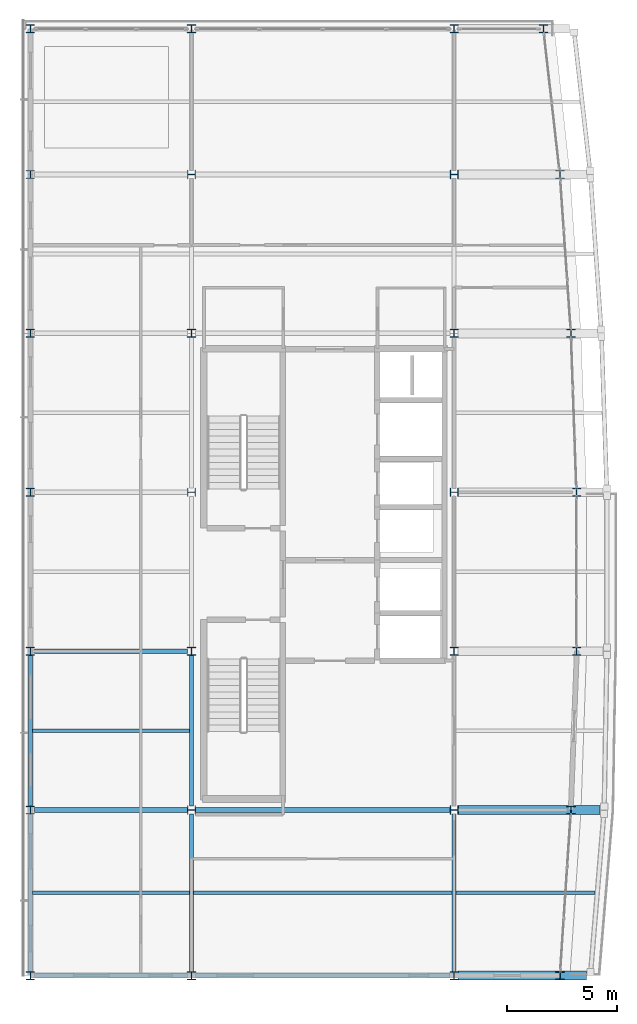
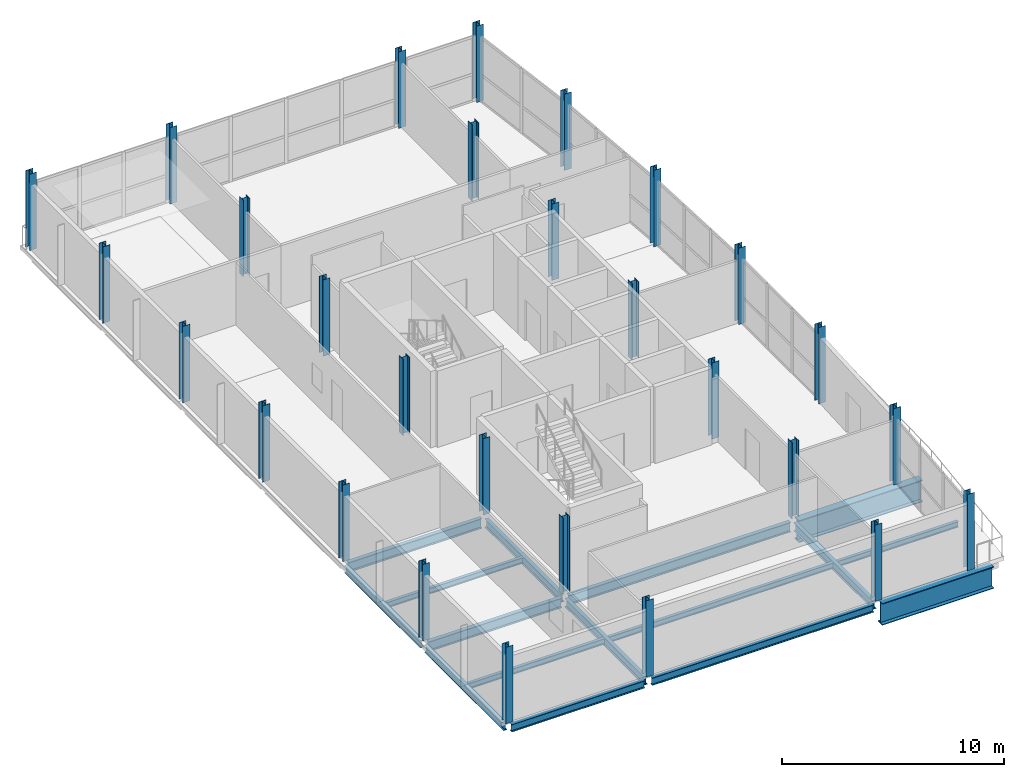
# One storey, part 1 of 17: 28 columns, 16 beams.
"""IFC4 building model written with IfcOpenShell, lengths in metres."""

import ifcopenshell
import ifcopenshell.guid

model = None  # the IFC model being written
_history = None  # IfcOwnerHistory: only IFC2X3 demands one
_inside = {}  # id of a spatial element -> (the spatial element, [elements in it])
_under = {}  # id of a project, library or spatial element -> (it, [spatial elements below it])
_declared = {}  # id of a project -> (the project, [libraries it declares])
_typed = {}  # id of a type object -> (the type object, [elements of that type])
_made_of = {}  # id of a material, layer set ... -> (it, [elements and type objects made of it])


def new_model(schema):
    """Start an empty IFC model of exactly this schema.

    Asked for "IFC4X3", IfcOpenShell would pick the latest addendum, in which some entities
    have other attributes; the version numbers below select the first issue.
    IFC2X3 requires an IfcOwnerHistory on every rooted entity: one is made here for all.
    """
    global model, _history
    if schema == "IFC4X3":
        model = ifcopenshell.file(schema_version=(4, 3, 0, 0))
    else:
        model = ifcopenshell.file(schema=schema)
    _inside.clear()
    _under.clear()
    _declared.clear()
    _typed.clear()
    _made_of.clear()
    _history = None
    if model.schema == "IFC2X3":
        org = make("IfcOrganization", Name="unknown")
        user = make(
            "IfcPersonAndOrganization",
            ThePerson=make("IfcPerson", FamilyName="unknown"),
            TheOrganization=org,
        )
        app = make(
            "IfcApplication",
            ApplicationDeveloper=org,
            Version="unknown",
            ApplicationFullName="unknown",
            ApplicationIdentifier="unknown",
        )
        _history = make(
            "IfcOwnerHistory",
            OwningUser=user,
            OwningApplication=app,
            ChangeAction="ADDED",
            CreationDate=0,
        )
    return model


def make(cls, **values):
    """One entity of the class cls with the attributes given. An attribute that is None is left unset."""
    return model.create_entity(
        cls, **{name: value for name, value in values.items() if value is not None}
    )


def rooted(cls, **values):
    """An entity with a GlobalId (a new one), such as an element, a storey or a relation."""
    return make(cls, GlobalId=ifcopenshell.guid.new(), OwnerHistory=_history, **values)


def si_unit(unit_type, name, prefix=None):
    """IfcSIUnit, for example si_unit("LENGTHUNIT", "METRE", prefix="MILLI")."""
    return make("IfcSIUnit", UnitType=unit_type, Prefix=prefix, Name=name)


def assignment(units):
    """IfcUnitAssignment: the units of a project."""
    return None if units is None else make("IfcUnitAssignment", Units=units)


def point(xyz):
    """IfcCartesianPoint."""
    return None if xyz is None else make("IfcCartesianPoint", Coordinates=xyz)


def direction(xyz):
    """IfcDirection."""
    return None if xyz is None else make("IfcDirection", DirectionRatios=xyz)


def frame(location, z_axis=None, x_axis=None):
    """IfcAxis2Placement3D, a coordinate frame: its origin and axes. An axis left out is left unset."""
    return make(
        "IfcAxis2Placement3D",
        Location=point(location),
        Axis=direction(z_axis),
        RefDirection=direction(x_axis),
    )


def frame_2d(location, x_axis=None):
    """IfcAxis2Placement2D, a coordinate frame in the plane: its origin and x axis."""
    return make(
        "IfcAxis2Placement2D", Location=point(location), RefDirection=direction(x_axis)
    )


def origin():
    """The frame at (0, 0, 0) with its axes left unset."""
    return frame((0.0, 0.0, 0.0))


def origin_2d():
    """The frame at (0, 0) in the plane with its x axis left unset."""
    return frame_2d((0.0, 0.0))


def place(relative_to, where):
    """IfcLocalPlacement: puts the frame where relative to a parent placement (None: the world)."""
    return make(
        "IfcLocalPlacement", PlacementRelTo=relative_to, RelativePlacement=where
    )


def context(
    kind, dimensions, precision=None, world=None, true_north=None, identifier=None
):
    """IfcGeometricRepresentationContext, for example the 3D "Model" context."""
    return make(
        "IfcGeometricRepresentationContext",
        ContextIdentifier=identifier,
        ContextType=kind,
        CoordinateSpaceDimension=dimensions,
        Precision=precision,
        WorldCoordinateSystem=world,
        TrueNorth=true_north,
    )


def subcontext(parent, identifier, kind, view, scale=None):
    """IfcGeometricRepresentationSubContext, for example "Body" below "Model"."""
    return make(
        "IfcGeometricRepresentationSubContext",
        ContextIdentifier=identifier,
        ContextType=kind,
        ParentContext=parent,
        TargetScale=scale,
        TargetView=view,
    )


def project(units=None, contexts=None):
    """IfcProject with its units and contexts."""
    return rooted(
        "IfcProject",
        Name="project",
        RepresentationContexts=contexts,
        UnitsInContext=assignment(units),
    )


def spatial(cls, under=None, at=None, **own):
    """A site, building, storey or space (cls), placed at a placement, below another one or the project."""
    s = rooted(cls, ObjectPlacement=at, **own)
    if under is not None:
        _under.setdefault(under.id(), (under, []))[1].append(s)
    return s


def profile(cls, at=None, kind="AREA", **sizes):
    """A parametric profile (cls). Its sizes go by their IFC names, for example OverallWidth=200.0."""
    return make(cls, ProfileType=kind, Position=at, **sizes)


def i_section(**sizes):
    """IfcIShapeProfileDef."""
    return profile("IfcIShapeProfileDef", **sizes)


def extrude(swept, where, along, depth):
    """IfcExtrudedAreaSolid: the profile swept, set in the frame where, extruded along a direction by depth."""
    return make(
        "IfcExtrudedAreaSolid",
        SweptArea=swept,
        Position=where,
        ExtrudedDirection=direction(along),
        Depth=depth,
    )


def shape(context_of_items, identifier, shape_type, items):
    """IfcShapeRepresentation: the items that make up one representation, for example the "Body"."""
    return make(
        "IfcShapeRepresentation",
        ContextOfItems=context_of_items,
        RepresentationIdentifier=identifier,
        RepresentationType=shape_type,
        Items=items,
    )


def material(Name=None, Category=None):
    """IfcMaterial."""
    return make("IfcMaterial", Name=Name, Category=Category)


def material_profile(
    of_material, cross_section, Name=None, Category=None, Priority=None
):
    """IfcMaterialProfile: a cross section and its material."""
    return make(
        "IfcMaterialProfile",
        Name=Name,
        Material=of_material,
        Profile=cross_section,
        Priority=Priority,
        Category=Category,
    )


def profile_set(profiles, Name=None, composite=None):
    """IfcMaterialProfileSet."""
    return make(
        "IfcMaterialProfileSet",
        Name=Name,
        MaterialProfiles=profiles,
        CompositeProfile=composite,
    )


def made_of(thing, what):
    """Note that an element or type object is made of a material, layer set ...; save() writes the relation."""
    if what is not None:
        _made_of.setdefault(what.id(), (what, []))[1].append(thing)
    return thing


def type_object(cls, material=None, **own):
    """A type object (cls), such as IfcWallType, which elements share."""
    return made_of(rooted(cls, **own), material)


def element(
    cls,
    number,
    at=None,
    inside=None,
    cuts=None,
    type_object=None,
    material=None,
    context=None,
    identifier="Body",
    shape_type=None,
    held_by="IfcProductDefinitionShape",
    body=None,
    shapes=None,
    **own,
):
    """One element of the class cls, such as IfcWall. Its Tag is "e" and its number.

    at: its placement. inside: the storey or other place that contains it. cuts: it is an
    opening in that element (IfcRelVoidsElement). A single representation is given by context,
    identifier, shape_type and body (its items); several are given by shapes. held_by: the class
    of the entity that holds the representations. save() writes the other relations.
    """
    e = rooted(cls, Tag="e%d" % number, ObjectPlacement=at, **own)
    if body is not None:
        shapes = [shape(context, identifier, shape_type, body)]
    if shapes is not None:
        e.Representation = make(held_by, Representations=shapes)
    if inside is not None:
        _inside.setdefault(inside.id(), (inside, []))[1].append(e)
    if cuts is not None:
        rooted(
            "IfcRelVoidsElement", RelatingBuildingElement=cuts, RelatedOpeningElement=e
        )
    if type_object is not None:
        _typed.setdefault(type_object.id(), (type_object, []))[1].append(e)
    return made_of(e, material)


def aggregate(whole, parts):
    """IfcRelAggregates: a whole, such as a stair, and the parts it consists of."""
    return rooted("IfcRelAggregates", RelatingObject=whole, RelatedObjects=parts)


def save(model, path):
    """Write the relations noted so far, then the file.

    IfcRelAggregates (storeys below a building ...), IfcRelContainedInSpatialStructure (elements
    in a storey), IfcRelDefinesByType, IfcRelAssociatesMaterial and IfcRelDeclares: one each for
    every whole, place, type object, material and project.
    """
    for whole, parts in _under.values():
        aggregate(whole, parts)
    for where, things in _inside.values():
        rooted(
            "IfcRelContainedInSpatialStructure",
            RelatedElements=things,
            RelatingStructure=where,
        )
    for kind, things in _typed.values():
        rooted("IfcRelDefinesByType", RelatedObjects=things, RelatingType=kind)
    for what, things in _made_of.values():
        rooted("IfcRelAssociatesMaterial", RelatedObjects=things, RelatingMaterial=what)
    for by, libraries in _declared.values():
        rooted("IfcRelDeclares", RelatingContext=by, RelatedDefinitions=libraries)
    model.write(path)


model = new_model("IFC4")

# Units and contexts
model_context = context("Model", 3, precision=1e-05, world=origin(), true_north=direction((0.0, 1.0)))
body_context = subcontext(model_context, "Body", "Model", "MODEL_VIEW")
ifc_project = project(units=[si_unit("LENGTHUNIT", "METRE"), si_unit("AREAUNIT", "SQUARE_METRE"), si_unit("VOLUMEUNIT", "CUBIC_METRE"), si_unit("PLANEANGLEUNIT", "RADIAN"), si_unit("MASSUNIT", "GRAM", prefix="KILO")], contexts=[model_context])

# Site, building, storey
site_placement = place(None, origin())
site = spatial("IfcSite", under=ifc_project, at=site_placement, CompositionType="ELEMENT")
building_placement = place(site_placement, origin())
building = spatial("IfcBuilding", under=site, at=building_placement, Name="Quillay Park Conservatory", CompositionType="ELEMENT")
storey_placement = place(building_placement, frame((0.0, 0.0, 47.699951171875)))
storey = spatial("IfcBuildingStorey", under=building, at=storey_placement, Name="L11", CompositionType="ELEMENT", Elevation=47.699951171875)

# Columns
ifc_material_1 = material(Name="Steel ASTM A992 Grade 50", Category="steel")
ifc_material_profile_1 = material_profile(ifc_material_1, i_section(OverallWidth=0.368896484375, OverallDepth=0.35595703125, WebThickness=0.01123046875, FlangeThickness=0.01806640625, FilletRadius=0.014892578125, at=origin_2d()), Name="W360x134")
ifc_profile_set_1 = profile_set([ifc_material_profile_1], Name="Steel ASTM A992 Grade 50")
column_type = type_object("IfcColumnType", Name="COMPOSITE STEEL COLUMN W360 X134", PredefinedType="COLUMN", material=ifc_profile_set_1)
for number, where, z_axis, x_axis, name in (
    (1, (0.550048828125, 70.5, 0.0), (0.0, 0.0, 1.0), (1.0, 0.0, 0.0), "L11 column COL-V4-L11-0-0"),
    (2, (7.85009765625, 70.5, 0.0), (0.0, 0.0, 1.0), (1.0, 0.0, 0.0), "L11 column COL-V4-L11-0-1"),
    (3, (19.75, 70.5, 0.0), (0.0, 0.0, 1.0), (1.0, 0.0, 0.0), "L11 column COL-V4-L11-0-2"),
    (4, (24.550048828125, 70.5, 0.0), (0.0, 0.0, 1.0), (1.0, 0.0, 0.0), "L11 column COL-V4-L11-0-3"),
    (5, (0.550048828125, 78.0, 0.0), (0.0, 0.0, 1.0), (1.0, 0.0, 0.0), "L11 column COL-V4-L11-1-0"),
    (6, (7.85009765625, 78.0, 0.0), (0.0, 0.0, 1.0), (0.0, 1.0, 0.0), "L11 column COL-V4-L11-1-1"),
    (7, (19.75, 78.0, 0.0), (0.0, 0.0, 1.0), (0.0, 1.0, 0.0), "L11 column COL-V4-L11-1-2"),
    (8, (25.050048828125, 78.0, 0.0), (0.0, 0.0, 1.0), (1.0, 0.0, 0.0), "L11 column COL-V4-L11-1-3"),
    (9, (0.550048828125, 85.199951171875, 0.0), (0.0, 0.0, 1.0), (1.0, 0.0, 0.0), "L11 column COL-V4-L11-2-0"),
    (10, (7.85009765625, 85.199951171875, 0.0), (0.0, 0.0, 1.0), (1.0, 0.0, 0.0), "L11 column COL-V4-L11-2-1"),
    (11, (19.75, 85.199951171875, 0.0), (0.0, 0.0, 1.0), (1.0, 0.0, 0.0), "L11 column COL-V4-L11-2-2"),
    (12, (25.300048828125, 85.199951171875, 0.0), (0.0, 0.0, 1.0), (1.0, 0.0, 0.0), "L11 column COL-V4-L11-2-3"),
    (13, (0.550048828125, 92.39990234375, 0.0), (0.0, 0.0, 1.0), (1.0, 0.0, 0.0), "L11 column COL-V4-L11-3-0"),
    (14, (7.85009765625, 92.39990234375, 0.0), (0.0, 0.0, 1.0), (0.0, 1.0, 0.0), "L11 column COL-V4-L11-3-1"),
    (15, (19.75, 92.39990234375, 0.0), (0.0, 0.0, 1.0), (0.0, 1.0, 0.0), "L11 column COL-V4-L11-3-2"),
    (16, (25.300048828125, 92.39990234375, 0.0), (0.0, 0.0, 1.0), (1.0, 0.0, 0.0), "L11 column COL-V4-L11-3-3"),
    (17, (0.550048828125, 99.60009765625, 0.0), (0.0, 0.0, 1.0), (1.0, 0.0, 0.0), "L11 column COL-V4-L11-4-0"),
    (18, (7.85009765625, 99.60009765625, 0.0), (0.0, 0.0, 1.0), (1.0, 0.0, 0.0), "L11 column COL-V4-L11-4-1"),
    (19, (19.75, 99.60009765625, 0.0), (0.0, 0.0, 1.0), (1.0, 0.0, 0.0), "L11 column COL-V4-L11-4-2"),
    (20, (25.050048828125, 99.60009765625, 0.0), (0.0, 0.0, 1.0), (1.0, 0.0, 0.0), "L11 column COL-V4-L11-4-3"),
    (21, (0.550048828125, 106.800048828125, 0.0), (0.0, 0.0, 1.0), (1.0, 0.0, 0.0), "L11 column COL-V4-L11-5-0"),
    (22, (7.85009765625, 106.800048828125, 0.0), (0.0, 0.0, 1.0), (0.0, 1.0, 0.0), "L11 column COL-V4-L11-5-1"),
    (23, (19.75, 106.800048828125, 0.0), (0.0, 0.0, 1.0), (0.0, 1.0, 0.0), "L11 column COL-V4-L11-5-2"),
    (24, (24.550048828125, 106.800048828125, 0.0), (0.0, 0.0, 1.0), (1.0, 0.0, 0.0), "L11 column COL-V4-L11-5-3"),
    (25, (0.550048828125, 113.39990234375, 0.0), (0.0, 0.0, 1.0), (1.0, 0.0, 0.0), "L11 column COL-V4-L11-6-0"),
    (26, (7.85009765625, 113.39990234375, 0.0), (0.0, 0.0, 1.0), (1.0, 0.0, 0.0), "L11 column COL-V4-L11-6-1"),
    (27, (19.75, 113.39990234375, 0.0), (0.0, 0.0, 1.0), (1.0, 0.0, 0.0), "L11 column COL-V4-L11-6-2"),
    (28, (23.800048828125, 113.39990234375, 0.0), (0.0, 0.0, 1.0), (1.0, 0.0, 0.0), "L11 column COL-V4-L11-6-3"),
):
    element("IfcColumn", number, at=place(storey_placement, frame(where, z_axis=z_axis, x_axis=x_axis)), inside=storey, type_object=column_type, Name=name, PredefinedType="COLUMN", context=body_context, shape_type="SweptSolid", body=[
        extrude(i_section(OverallWidth=0.368896484375, OverallDepth=0.35595703125, WebThickness=0.01123046875, FlangeThickness=0.01806640625, FilletRadius=0.014892578125, at=origin_2d()), origin(), (0.0, 0.0, 1.0), 4.199951171875),
    ])

# Beams
ifc_material_2 = material(Name="Steel ASTM A992 Grade 50", Category="steel")
ifc_material_profile_2 = material_profile(ifc_material_2, i_section(OverallWidth=0.166015625, OverallDepth=0.31298828125, WebThickness=0.006591796875, FlangeThickness=0.01123046875, FilletRadius=0.010009765625, at=origin_2d()), Name="W310x45")
ifc_profile_set_2 = profile_set([ifc_material_profile_2], Name="Steel ASTM A992 Grade 50")
beam_type_1 = type_object("IfcBeamType", Name="COMPOSITE FLOOR JOIST W310 X45", PredefinedType="JOIST", material=ifc_profile_set_2)
beam_1_placement = place(storey_placement, frame((0.639892578125, 74.25, -0.38134765625), z_axis=(1.0, 0.0, 0.0), x_axis=(0.0, 1.0, 0.0)))
element("IfcBeam", 29, at=beam_1_placement, inside=storey, type_object=beam_type_1, Name="L11 beam BM-J-0791", PredefinedType="JOIST", context=body_context, shape_type="SweptSolid", body=[
    extrude(i_section(OverallWidth=0.166015625, OverallDepth=0.31298828125, WebThickness=0.006591796875, FlangeThickness=0.01123046875, FilletRadius=0.010009765625, at=origin_2d()), origin(), (0.0, 0.0, 1.0), 7.114013671875),
])
beam_2_placement = place(storey_placement, frame((19.845947265625, 74.25, -0.38134765625), z_axis=(1.0, 0.0, 0.0), x_axis=(0.0, 1.0, 0.0)))
element("IfcBeam", 30, at=beam_2_placement, inside=storey, type_object=beam_type_1, Name="L11 beam BM-J-0792", PredefinedType="JOIST", context=body_context, shape_type="SweptSolid", body=[
    extrude(i_section(OverallWidth=0.166015625, OverallDepth=0.31298828125, WebThickness=0.006591796875, FlangeThickness=0.01123046875, FilletRadius=0.010009765625, at=origin_2d()), origin(), (0.0, 0.0, 1.0), 6.29150390625),
])
beam_3_placement = place(storey_placement, frame((7.946044921875, 74.25, -0.38134765625), z_axis=(1.0, 0.0, 0.0), x_axis=(0.0, 1.0, 0.0)))
element("IfcBeam", 31, at=beam_3_placement, inside=storey, type_object=beam_type_1, Name="L11 beam BM-J-0793", PredefinedType="JOIST", context=body_context, shape_type="SweptSolid", body=[
    extrude(i_section(OverallWidth=0.166015625, OverallDepth=0.31298828125, WebThickness=0.006591796875, FlangeThickness=0.01123046875, FilletRadius=0.010009765625, at=origin_2d()), origin(), (0.0, 0.0, 1.0), 11.7080078125),
])
beam_4_placement = place(storey_placement, frame((0.639892578125, 81.60009765625, -0.38134765625), z_axis=(1.0, 0.0, 0.0), x_axis=(0.0, 1.0, 0.0)))
element("IfcBeam", 32, at=beam_4_placement, inside=storey, type_object=beam_type_1, Name="L11 beam BM-J-0798", PredefinedType="JOIST", context=body_context, shape_type="SweptSolid", body=[
    extrude(i_section(OverallWidth=0.166015625, OverallDepth=0.31298828125, WebThickness=0.006591796875, FlangeThickness=0.01123046875, FilletRadius=0.010009765625, at=origin_2d()), origin(), (0.0, 0.0, 1.0), 7.114013671875),
])
ifc_material_3 = material(Name="Steel ASTM A992 Grade 50", Category="steel")
ifc_material_profile_3 = material_profile(ifc_material_3, i_section(OverallWidth=0.179931640625, OverallDepth=0.4130859375, WebThickness=0.009765625, FlangeThickness=0.01611328125, FilletRadius=0.011962890625, at=origin_2d()), Name="W410x74")
ifc_profile_set_3 = profile_set([ifc_material_profile_3], Name="Steel ASTM A992 Grade 50")
beam_type_2 = type_object("IfcBeamType", Name="PERIMETER SPANDREL BEAM W410 X74", PredefinedType="SPANDREL", material=ifc_profile_set_3)
beam_5_placement = place(storey_placement, frame((0.735595703125, 70.5, -0.431396484375), z_axis=(1.0, 0.0, 0.0), x_axis=(0.0, 1.0, 0.0)))
element("IfcBeam", 33, at=beam_5_placement, inside=storey, type_object=beam_type_2, Name="L11 beam BM-SP-0768", PredefinedType="SPANDREL", context=body_context, shape_type="SweptSolid", body=[
    extrude(i_section(OverallWidth=0.179931640625, OverallDepth=0.4130859375, WebThickness=0.009765625, FlangeThickness=0.01611328125, FilletRadius=0.011962890625, at=origin_2d()), origin(), (0.0, 0.0, 1.0), 6.928955078125),
])
beam_6_placement = place(storey_placement, frame((8.035400390625, 70.5, -0.431396484375), z_axis=(1.0, 0.0, 0.0), x_axis=(0.0, 1.0, 0.0)))
element("IfcBeam", 34, at=beam_6_placement, inside=storey, type_object=beam_type_2, Name="L11 beam BM-SP-0769", PredefinedType="SPANDREL", context=body_context, shape_type="SweptSolid", body=[
    extrude(i_section(OverallWidth=0.179931640625, OverallDepth=0.4130859375, WebThickness=0.009765625, FlangeThickness=0.01611328125, FilletRadius=0.011962890625, at=origin_2d()), origin(), (0.0, 0.0, 1.0), 11.529052734375),
])
beam_7_placement = place(storey_placement, frame((0.550048828125, 70.681884765625, -0.431396484375), z_axis=(0.0, 1.0, 0.0), x_axis=(-1.0, 0.0, 0.0)))
element("IfcBeam", 35, at=beam_7_placement, inside=storey, type_object=beam_type_2, Name="L11 beam BM-SPW-0787", PredefinedType="SPANDREL", context=body_context, shape_type="SweptSolid", body=[
    extrude(i_section(OverallWidth=0.179931640625, OverallDepth=0.4130859375, WebThickness=0.009765625, FlangeThickness=0.01611328125, FilletRadius=0.011962890625, at=origin_2d()), origin(), (0.0, 0.0, 1.0), 7.13623046875),
])
beam_8_placement = place(storey_placement, frame((0.550048828125, 78.181884765625, -0.431396484375), z_axis=(0.0, 1.0, 0.0), x_axis=(-1.0, 0.0, 0.0)))
element("IfcBeam", 36, at=beam_8_placement, inside=storey, type_object=beam_type_2, Name="L11 beam BM-SPW-0794", PredefinedType="SPANDREL", context=body_context, shape_type="SweptSolid", body=[
    extrude(i_section(OverallWidth=0.179931640625, OverallDepth=0.4130859375, WebThickness=0.009765625, FlangeThickness=0.01611328125, FilletRadius=0.011962890625, at=origin_2d()), origin(), (0.0, 0.0, 1.0), 6.836181640625),
])
ifc_material_4 = material(Name="Steel ASTM A992 Grade 50", Category="steel")
ifc_material_profile_4 = material_profile(ifc_material_4, i_section(OverallWidth=0.19189453125, OverallDepth=0.462890625, WebThickness=0.010498046875, FlangeThickness=0.017578125, FilletRadius=0.012939453125, at=origin_2d()), Name="W460x89")
ifc_profile_set_4 = profile_set([ifc_material_profile_4], Name="Steel ASTM A992 Grade 50")
beam_type_3 = type_object("IfcBeamType", Name="PRIMARY FLOOR GIRDER W460 X89", PredefinedType="BEAM", material=ifc_profile_set_4)
for number, where, z_axis, x_axis, name in (
    (37, (7.85009765625, 70.681884765625, -0.45654296875), (0.0, 1.0, 0.0), (-1.0, 0.0, 0.0), "L11 beam BM-GNS-0789"),
    (38, (19.75, 70.681884765625, -0.45654296875), (0.0, 1.0, 0.0), (-1.0, 0.0, 0.0), "L11 beam BM-GNS-0790"),
):
    element("IfcBeam", number, at=place(storey_placement, frame(where, z_axis=z_axis, x_axis=x_axis)), inside=storey, type_object=beam_type_3, Name=name, PredefinedType="BEAM", context=body_context, shape_type="SweptSolid", body=[
        extrude(i_section(OverallWidth=0.19189453125, OverallDepth=0.462890625, WebThickness=0.010498046875, FlangeThickness=0.017578125, FilletRadius=0.012939453125, at=origin_2d()), origin(), (0.0, 0.0, 1.0), 7.132568359375),
    ])
beam_9_placement = place(storey_placement, frame((7.85009765625, 78.185546875, -0.45654296875), z_axis=(0.0, 1.0, 0.0), x_axis=(-1.0, 0.0, 0.0)))
element("IfcBeam", 39, at=beam_9_placement, inside=storey, type_object=beam_type_3, Name="L11 beam BM-GNS-0796", PredefinedType="BEAM", context=body_context, shape_type="SweptSolid", body=[
    extrude(i_section(OverallWidth=0.19189453125, OverallDepth=0.462890625, WebThickness=0.010498046875, FlangeThickness=0.017578125, FilletRadius=0.012939453125, at=origin_2d()), origin(), (0.0, 0.0, 1.0), 6.83251953125),
])
ifc_material_5 = material(Name="Steel ASTM A992 Grade 50", Category="steel")
ifc_material_profile_5 = material_profile(ifc_material_5, i_section(OverallWidth=0.2109375, OverallDepth=0.5390625, WebThickness=0.01171875, FlangeThickness=0.018798828125, FilletRadius=0.013916015625, at=origin_2d()), Name="W530x109")
ifc_profile_set_5 = profile_set([ifc_material_profile_5], Name="Steel ASTM A992 Grade 50")
beam_type_4 = type_object("IfcBeamType", Name="PRIMARY FLOOR GIRDER W530 X109", PredefinedType="BEAM", material=ifc_profile_set_5)
beam_10_placement = place(storey_placement, frame((0.735595703125, 78.0, -0.494384765625), z_axis=(1.0, 0.0, 0.0), x_axis=(0.0, 1.0, 0.0)))
element("IfcBeam", 40, at=beam_10_placement, inside=storey, type_object=beam_type_4, Name="L11 beam BM-G-0771", PredefinedType="BEAM", context=body_context, shape_type="SweptSolid", body=[
    extrude(i_section(OverallWidth=0.2109375, OverallDepth=0.5390625, WebThickness=0.01171875, FlangeThickness=0.018798828125, FilletRadius=0.013916015625, at=origin_2d()), origin(), (0.0, 0.0, 1.0), 6.932373046875),
])
beam_11_placement = place(storey_placement, frame((8.031982421875, 78.0, -0.494384765625), z_axis=(1.0, 0.0, 0.0), x_axis=(0.0, 1.0, 0.0)))
element("IfcBeam", 41, at=beam_11_placement, inside=storey, type_object=beam_type_4, Name="L11 beam BM-G-0772", PredefinedType="BEAM", context=body_context, shape_type="SweptSolid", body=[
    extrude(i_section(OverallWidth=0.2109375, OverallDepth=0.5390625, WebThickness=0.01171875, FlangeThickness=0.018798828125, FilletRadius=0.013916015625, at=origin_2d()), origin(), (0.0, 0.0, 1.0), 11.5361328125),
])
beam_12_placement = place(storey_placement, frame((0.735595703125, 85.199951171875, -0.494384765625), z_axis=(1.0, 0.0, 0.0), x_axis=(0.0, 1.0, 0.0)))
element("IfcBeam", 42, at=beam_12_placement, inside=storey, type_object=beam_type_4, Name="L11 beam BM-G-0774", PredefinedType="BEAM", context=body_context, shape_type="SweptSolid", body=[
    extrude(i_section(OverallWidth=0.2109375, OverallDepth=0.5390625, WebThickness=0.01171875, FlangeThickness=0.018798828125, FilletRadius=0.013916015625, at=origin_2d()), origin(), (0.0, 0.0, 1.0), 6.928955078125),
])
ifc_material_6 = material(Name="Steel ASTM A572 Grade 50", Category="steel")
ifc_material_profile_6 = material_profile(ifc_material_6, i_section(OverallWidth=0.39990234375, OverallDepth=1.199951171875, WebThickness=0.02001953125, FlangeThickness=0.0380859375, at=origin_2d()), Name="IG1200x400")
ifc_profile_set_6 = profile_set([ifc_material_profile_6], Name="Steel ASTM A572 Grade 50")
beam_type_5 = type_object("IfcBeamType", Name="TRANSFER PLATE GIRDER IG1200", PredefinedType="USERDEFINED", material=ifc_profile_set_6)
beam_13_placement = place(storey_placement, frame((19.935546875, 70.5, -0.824951171875), z_axis=(1.0, 0.0, 0.0), x_axis=(0.0, 1.0, 0.0)))
element("IfcBeam", 43, at=beam_13_placement, inside=storey, type_object=beam_type_5, Name="L11 beam BM-TG2-0770", ObjectType="TRANSFER PLATE GIRDER", PredefinedType="USERDEFINED", context=body_context, shape_type="SweptSolid", body=[
    extrude(i_section(OverallWidth=0.39990234375, OverallDepth=1.199951171875, WebThickness=0.02001953125, FlangeThickness=0.0380859375, at=origin_2d()), origin(), (0.0, 0.0, 1.0), 5.803955078125),
])
beam_14_placement = place(storey_placement, frame((19.931884765625, 78.0, -0.824951171875), z_axis=(1.0, 0.0, 0.0), x_axis=(0.0, 1.0, 0.0)))
element("IfcBeam", 44, at=beam_14_placement, inside=storey, type_object=beam_type_5, Name="L11 beam BM-TG2-0773", ObjectType="TRANSFER PLATE GIRDER", PredefinedType="USERDEFINED", context=body_context, shape_type="SweptSolid", body=[
    extrude(i_section(OverallWidth=0.39990234375, OverallDepth=1.199951171875, WebThickness=0.02001953125, FlangeThickness=0.0380859375, at=origin_2d()), origin(), (0.0, 0.0, 1.0), 6.4326171875),
])

save(model, "model.ifc")
